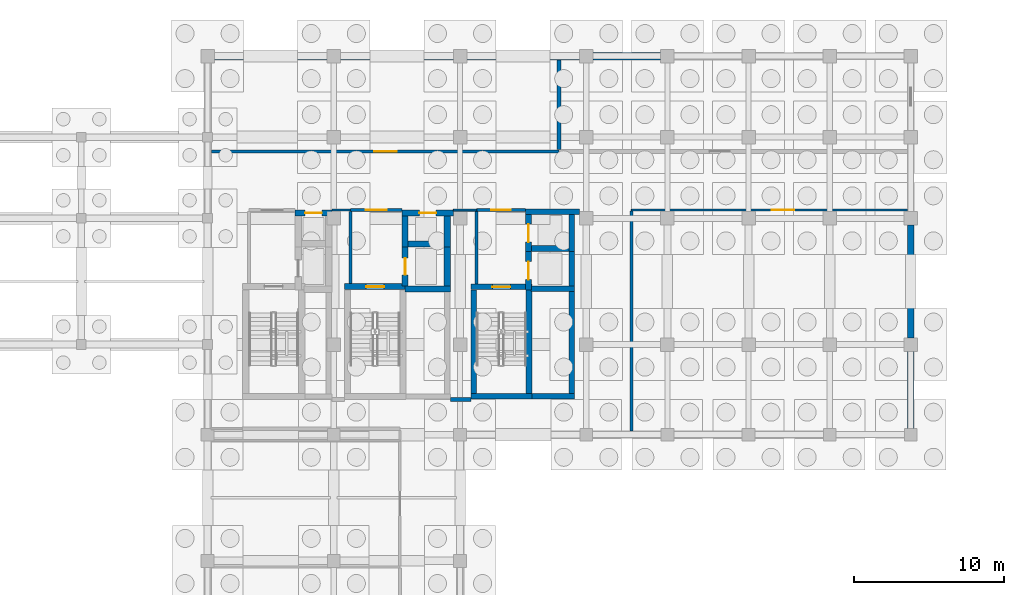
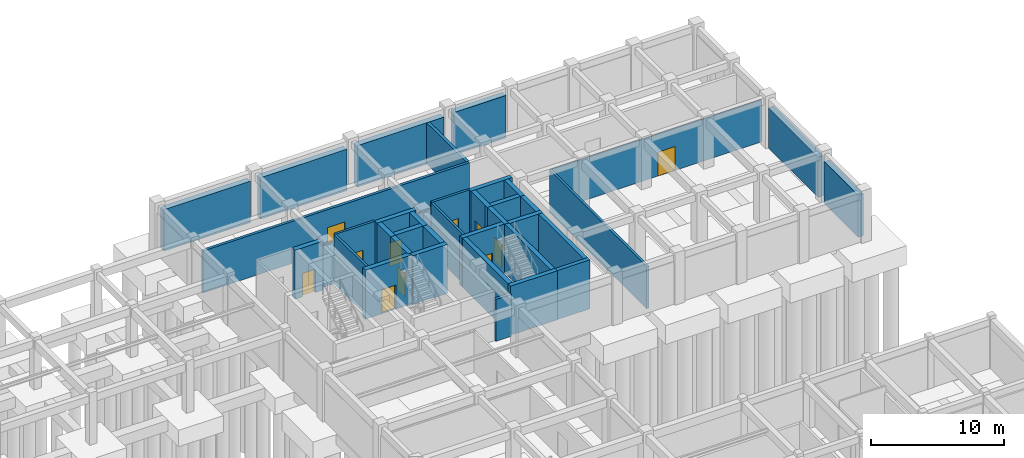
# One storey, part 41 of 49: 39 walls, 11 doors, 11 openings.
"""IFC4 building model written with IfcOpenShell, lengths in metres."""

from ifc_helpers import new_model, si_unit, direction, frame, frame_2d, origin, place, context, subcontext, project, spatial, rectangle, extrude, material, layer, layer_set, type_object, element, fill, save


model = new_model("IFC4")

# Units and contexts
model_context = context("Model", 3, precision=1e-05, world=origin(), true_north=direction((0.0, 1.0)))
body_context = subcontext(model_context, "Body", "Model", "MODEL_VIEW")
ifc_project = project(units=[si_unit("LENGTHUNIT", "METRE"), si_unit("AREAUNIT", "SQUARE_METRE"), si_unit("VOLUMEUNIT", "CUBIC_METRE"), si_unit("PLANEANGLEUNIT", "RADIAN"), si_unit("MASSUNIT", "GRAM", prefix="KILO")], contexts=[model_context])

# Site, building, storey
site_placement = place(None, origin())
site = spatial("IfcSite", under=ifc_project, at=site_placement, CompositionType="ELEMENT")
building_placement = place(site_placement, origin())
building = spatial("IfcBuilding", under=site, at=building_placement, Name="Krzemoval Escarpment Law Courts", CompositionType="ELEMENT")
storey_placement = place(building_placement, frame((0.0, 0.0, -4.800048828125)))
storey = spatial("IfcBuildingStorey", under=building, at=storey_placement, Name="B1", CompositionType="ELEMENT", Elevation=-4.800048828125)

# Wall, opening, door
ifc_material_1 = material(Name="Light Internal Subdivision Partition", Category="gypsum")
ifc_layer_1 = layer(ifc_material_1, 0.114990234375)
ifc_layer_set_1 = layer_set([ifc_layer_1], Name="Light Internal Subdivision Partition")
wall_type_1 = type_object("IfcWallType", Name="WL-PRT-115", PredefinedType="PARTITIONING", material=ifc_layer_set_1)
wall_1_placement = place(storey_placement, frame((154.199951171875, 108.550048828125, 0.0), z_axis=(0.0, 0.0, 1.0), x_axis=(1.0, 0.0, 0.0)))
wall_1 = element("IfcWall", 1, at=wall_1_placement, inside=storey, type_object=wall_type_1, Name="Interior Partition PW-B1-0047", PredefinedType="PARTITIONING", context=body_context, shape_type="SweptSolid", body=[
    extrude(rectangle(XDim=18.373046875, YDim=0.114990234375, at=frame_2d((9.1865234375, 0.0))), origin(), (0.0, 0.0, 1.0), 3.85009765625),
])
opening_1_placement = place(wall_1_placement, frame((9.3369140625, 0.0, 0.0)))
opening_1 = element("IfcOpeningElement", 2, at=opening_1_placement, cuts=wall_1, Name="Opening D-B1-0034", PredefinedType="OPENING", context=body_context, shape_type="SweptSolid", body=[
    extrude(rectangle(XDim=1.5, YDim=2.199951171875, at=frame_2d((0.75, 1.10009765625))), frame((0.0, 0.0725, 0.0), z_axis=(0.0, -1.0, 0.0), x_axis=(1.0, 0.0, 0.0)), (0.0, 0.0, 1.0), 0.14499),
])
ifc_material_2 = material(Name="Engineered Solid-Core Oak Acoustic Timber", Category="wood")
door_type_1 = type_object("IfcDoorType", Name="DR-INT-1500x2200", OperationType="SINGLE_SWING_LEFT", PredefinedType="DOOR", material=ifc_material_2)
door_1_placement = place(opening_1_placement, origin())
door_1 = element("IfcDoor", 3, at=door_1_placement, inside=storey, type_object=door_type_1, Name="Room Door D-B1-0034", OperationType="SINGLE_SWING_LEFT", OverallHeight=2.199951171875, OverallWidth=1.5, PredefinedType="DOOR", context=body_context, shape_type="SweptSolid", body=[
    extrude(rectangle(XDim=1.5, YDim=2.199951171875, at=frame_2d((0.75, 1.10009765625))), frame((0.0, 0.02490234375, 0.0), z_axis=(0.0, -1.0, 0.0), x_axis=(1.0, 0.0, 0.0)), (0.0, 0.0, 1.0), 0.050048828125),
])
fill(opening_1, door_1)

# Walls
ifc_material_3 = material(Name="Standard Metal-Stud Gypsum Partition", Category="gypsum")
ifc_layer_2 = layer(ifc_material_3, 0.125)
ifc_layer_set_2 = layer_set([ifc_layer_2], Name="Standard Metal-Stud Gypsum Partition")
wall_type_2 = type_object("IfcWallType", Name="WL-PRT-125", PredefinedType="PARTITIONING", material=ifc_layer_set_2)
wall_2_placement = place(storey_placement, frame((142.35498046875, 108.550048828125, 0.0), z_axis=(0.0, 0.0, 1.0), x_axis=(1.0, 0.0, 0.0)))
element("IfcWall", 4, at=wall_2_placement, inside=storey, type_object=wall_type_2, Name="Interior Partition PW-B1-0046", PredefinedType="PARTITIONING", context=body_context, shape_type="SweptSolid", body=[
    extrude(rectangle(XDim=1.544921875, YDim=0.125, at=frame_2d((0.7724609375, 0.0))), origin(), (0.0, 0.0, 1.0), 3.85009765625),
])
ifc_material_4 = material(Name="Sanitary Moisture-Resistant Partition", Category="gypsum")
ifc_layer_3 = layer(ifc_material_4, 0.139892578125)
ifc_layer_set_3 = layer_set([ifc_layer_3], Name="Sanitary Moisture-Resistant Partition")
wall_type_3 = type_object("IfcWallType", Name="WL-PRT-140", PredefinedType="PARTITIONING", material=ifc_layer_set_3)
wall_3_placement = place(storey_placement, frame((134.27001953125, 108.550048828125, 0.0), z_axis=(0.0, 0.0, 1.0), x_axis=(1.0, 0.0, 0.0)))
element("IfcWall", 5, at=wall_3_placement, inside=storey, type_object=wall_type_3, Name="Interior Partition PW-B1-0045", PredefinedType="PARTITIONING", context=body_context, shape_type="SweptSolid", body=[
    extrude(rectangle(XDim=1.22998046875, YDim=0.139892578125, at=frame_2d((0.614990234375, 0.0))), origin(), (0.0, 0.0, 1.0), 3.85009765625),
])

# Wall, opening, door
ifc_material_5 = material(Name="Fire-Rated Corridor Partition Wall", Category="gypsum")
ifc_layer_4 = layer(ifc_material_5, 0.199951171875)
ifc_layer_set_4 = layer_set([ifc_layer_4], Name="Fire-Rated Corridor Partition Wall")
wall_type_4 = type_object("IfcWallType", Name="WL-PRT-200", PredefinedType="PARTITIONING", material=ifc_layer_set_4)
wall_4_placement = place(storey_placement, frame((135.5, 108.550048828125, 0.0), z_axis=(0.0, 0.0, 1.0), x_axis=(1.0, 0.0, 0.0)))
wall_4 = element("IfcWall", 6, at=wall_4_placement, inside=storey, type_object=wall_type_4, Name="Interior Partition PW-B1-0043", PredefinedType="PARTITIONING", context=body_context, shape_type="SweptSolid", body=[
    extrude(rectangle(XDim=3.449951171875, YDim=0.199951171875, at=frame_2d((1.72509765625, 0.0))), origin(), (0.0, 0.0, 1.0), 4.5),
])
opening_2_placement = place(wall_4_placement, frame((1.02490234375, 0.0, 0.0)))
opening_2 = element("IfcOpeningElement", 7, at=opening_2_placement, cuts=wall_4, Name="Opening D-B1-0014", PredefinedType="OPENING", context=body_context, shape_type="SweptSolid", body=[
    extrude(rectangle(XDim=1.39990234375, YDim=2.199951171875, at=frame_2d((0.699951171875, 1.10009765625))), frame((0.0, 0.11498, 0.0), z_axis=(0.0, -1.0, 0.0), x_axis=(1.0, 0.0, 0.0)), (0.0, 0.0, 1.0), 0.22995),
])
ifc_material_6 = material(Name="Galvanised Steel S355", Category="steel")
door_type_2 = type_object("IfcDoorType", Name="DR-FFL-1400x2200", OperationType="SINGLE_SWING_LEFT", PredefinedType="DOOR", material=ifc_material_6)
door_2_placement = place(opening_2_placement, origin())
door_2 = element("IfcDoor", 8, at=door_2_placement, inside=storey, type_object=door_type_2, Name="Room Door D-B1-0014", OperationType="SINGLE_SWING_LEFT", OverallHeight=2.199951171875, OverallWidth=1.39990234375, PredefinedType="DOOR", context=body_context, shape_type="SweptSolid", body=[
    extrude(rectangle(XDim=1.39990234375, YDim=2.199951171875, at=frame_2d((0.699951171875, 1.10009765625))), frame((0.0, 0.02490234375, 0.0), z_axis=(0.0, -1.0, 0.0), x_axis=(1.0, 0.0, 0.0)), (0.0, 0.0, 1.0), 0.050048828125),
])
fill(opening_2, door_2)

wall_5_placement = place(storey_placement, frame((143.89990234375, 108.550048828125, 0.0), z_axis=(0.0, 0.0, 1.0), x_axis=(1.0, 0.0, 0.0)))
wall_5 = element("IfcWall", 9, at=wall_5_placement, inside=storey, type_object=wall_type_4, Name="Interior Partition PW-B1-0044", PredefinedType="PARTITIONING", context=body_context, shape_type="SweptSolid", body=[
    extrude(rectangle(XDim=3.27001953125, YDim=0.199951171875, at=frame_2d((1.635009765625, 0.0))), origin(), (0.0, 0.0, 1.0), 4.5),
])
opening_3_placement = place(wall_5_placement, frame((0.985107421875, 0.0, 0.0)))
opening_3 = element("IfcOpeningElement", 10, at=opening_3_placement, cuts=wall_5, Name="Opening D-B1-0015", PredefinedType="OPENING", context=body_context, shape_type="SweptSolid", body=[
    extrude(rectangle(XDim=1.300048828125, YDim=2.199951171875, at=frame_2d((0.64990234375, 1.10009765625))), frame((0.0, 0.11498, 0.0), z_axis=(0.0, -1.0, 0.0), x_axis=(1.0, 0.0, 0.0)), (0.0, 0.0, 1.0), 0.22995),
])
ifc_material_7 = material(Name="Galvanised Steel S355", Category="steel")
door_type_3 = type_object("IfcDoorType", Name="DR-STR-1300x2200", OperationType="SINGLE_SWING_LEFT", PredefinedType="DOOR", material=ifc_material_7)
door_3_placement = place(opening_3_placement, origin())
door_3 = element("IfcDoor", 11, at=door_3_placement, inside=storey, type_object=door_type_3, Name="Room Door D-B1-0015", OperationType="SINGLE_SWING_RIGHT", OverallHeight=2.199951171875, OverallWidth=1.300048828125, PredefinedType="DOOR", context=body_context, shape_type="SweptSolid", body=[
    extrude(rectangle(XDim=1.300048828125, YDim=2.199951171875, at=frame_2d((0.64990234375, 1.10009765625))), frame((0.0, 0.02490234375, 0.0), z_axis=(0.0, -1.0, 0.0), x_axis=(1.0, 0.0, 0.0)), (0.0, 0.0, 1.0), 0.050048828125),
])
fill(opening_3, door_3)

# Walls
wall_6_placement = place(storey_placement, frame((135.5, 103.652099609375, 0.0), z_axis=(0.0, 0.0, 1.0), x_axis=(0.0, 1.0, 0.0)))
element("IfcWall", 12, at=wall_6_placement, inside=storey, type_object=wall_type_4, Name="Interior Partition PW-B1-0060", PredefinedType="PARTITIONING", context=body_context, shape_type="SweptSolid", body=[
    extrude(rectangle(XDim=4.7958984375, YDim=0.199951171875, at=frame_2d((2.39794921875, 0.0))), origin(), (0.0, 0.0, 1.0), 4.5),
])
wall_7_placement = place(storey_placement, frame((143.89990234375, 103.632080078125, 0.0), z_axis=(0.0, 0.0, 1.0), x_axis=(0.0, 1.0, 0.0)))
element("IfcWall", 13, at=wall_7_placement, inside=storey, type_object=wall_type_4, Name="Interior Partition PW-B1-0069", PredefinedType="PARTITIONING", context=body_context, shape_type="SweptSolid", body=[
    extrude(rectangle(XDim=4.81591796875, YDim=0.199951171875, at=frame_2d((2.407958984375, 0.0))), origin(), (0.0, 0.0, 1.0), 4.5),
])
wall_8_placement = place(storey_placement, frame((154.199951171875, 93.85205078125, 0.0), z_axis=(0.0, 0.0, 1.0), x_axis=(0.0, 1.0, 0.0)))
element("IfcWall", 14, at=wall_8_placement, inside=storey, type_object=wall_type_4, Name="Interior Partition PW-B1-0075", PredefinedType="PARTITIONING", context=body_context, shape_type="SweptSolid", body=[
    extrude(rectangle(XDim=14.637939453125, YDim=0.199951171875, at=frame_2d((7.31884765625, 0.0))), origin(), (0.0, 0.0, 1.0), 3.900146484375),
])

# Wall, opening, door
ifc_material_8 = material(Name="Acoustic Calcium-Silicate Block Wall", Category="masonry")
ifc_layer_5 = layer(ifc_material_8, 0.22998046875)
ifc_layer_set_5 = layer_set([ifc_layer_5], Name="Acoustic Calcium-Silicate Block Wall")
wall_type_5 = type_object("IfcWallType", Name="WL-PRT-230", PredefinedType="SOLIDWALL", material=ifc_layer_set_5)
wall_9_placement = place(storey_placement, frame((126.251953125, 112.449951171875, 0.0), z_axis=(0.0, 0.0, 1.0), x_axis=(1.0, 0.0, 0.0)))
wall_9 = element("IfcWall", 15, at=wall_9_placement, inside=storey, type_object=wall_type_5, Name="Interior Partition PW-B1-0048", PredefinedType="SOLIDWALL", context=body_context, shape_type="SweptSolid", body=[
    extrude(rectangle(XDim=23.14794921875, YDim=0.22998046875, at=frame_2d((11.573974609375, 0.0))), origin(), (0.0, 0.0, 1.0), 3.85009765625),
])
opening_4_placement = place(wall_9_placement, frame((10.823974609375, 0.0, 0.0)))
opening_4 = element("IfcOpeningElement", 16, at=opening_4_placement, cuts=wall_9, Name="Opening D-B1-0032", PredefinedType="OPENING", context=body_context, shape_type="SweptSolid", body=[
    extrude(rectangle(XDim=1.5, YDim=2.199951171875, at=frame_2d((0.75, 1.10009765625))), frame((0.0, 0.12999, 0.0), z_axis=(0.0, -1.0, 0.0), x_axis=(1.0, 0.0, 0.0)), (0.0, 0.0, 1.0), 0.25998),
])
door_4_placement = place(opening_4_placement, origin())
door_4 = element("IfcDoor", 17, at=door_4_placement, inside=storey, type_object=door_type_1, Name="Room Door D-B1-0032", OperationType="SINGLE_SWING_LEFT", OverallHeight=2.199951171875, OverallWidth=1.5, PredefinedType="DOOR", context=body_context, shape_type="SweptSolid", body=[
    extrude(rectangle(XDim=1.5, YDim=2.199951171875, at=frame_2d((0.75, 1.10009765625))), frame((0.0, 0.02490234375, 0.0), z_axis=(0.0, -1.0, 0.0), x_axis=(1.0, 0.0, 0.0)), (0.0, 0.0, 1.0), 0.050048828125),
])
fill(opening_4, door_4)

# Walls
ifc_material_9 = material(Name="Acoustic Double-Stud Gypsum and Mineral Wool Wall", Category="gypsum")
ifc_layer_6 = layer(ifc_material_9, 0.260009765625)
ifc_layer_set_6 = layer_set([ifc_layer_6], Name="Acoustic Double-Stud Gypsum and Mineral Wool Wall")
wall_type_6 = type_object("IfcWallType", Name="WL-PRT-260", PredefinedType="PARTITIONING", material=ifc_layer_set_6)
wall_10_placement = place(storey_placement, frame((142.14990234375, 95.949951171875, 0.0), z_axis=(0.0, 0.0, 1.0), x_axis=(1.0, 0.0, 0.0)))
element("IfcWall", 18, at=wall_10_placement, inside=storey, type_object=wall_type_6, Name="Interior Partition PW-B1-0041", PredefinedType="PARTITIONING", context=body_context, shape_type="SweptSolid", body=[
    extrude(rectangle(XDim=1.3701171875, YDim=0.260009765625, at=frame_2d((0.68505859375, 0.0))), origin(), (0.0, 0.0, 1.0), 3.85009765625),
])
wall_11_placement = place(storey_placement, frame((149.39990234375, 112.58203125, 0.0), z_axis=(0.0, 0.0, 1.0), x_axis=(0.0, 1.0, 0.0)))
element("IfcWall", 19, at=wall_11_placement, inside=storey, type_object=wall_type_6, Name="Interior Partition PW-B1-0070", PredefinedType="PARTITIONING", context=body_context, shape_type="SweptSolid", body=[
    extrude(rectangle(XDim=5.966064453125, YDim=0.260009765625, at=frame_2d((2.98291015625, 0.0))), origin(), (0.0, 0.0, 1.0), 3.800048828125),
])
ifc_material_10 = material(Name="Concrete C35/45", Category="concrete")
ifc_layer_7 = layer(ifc_material_10, 0.449951171875)
ifc_layer_set_7 = layer_set([ifc_layer_7], Name="Concrete C35/45")
wall_type_7 = type_object("IfcWallType", Name="WL-RET-450", PredefinedType="USERDEFINED", material=ifc_layer_set_7)
wall_12_placement = place(storey_placement, frame((172.800048828125, 107.550048828125, 0.0), z_axis=(0.0, 0.0, 1.0), x_axis=(0.0, -1.0, 0.0)))
element("IfcWall", 20, at=wall_12_placement, inside=storey, type_object=wall_type_7, Name="Exterior Wall EW-B1-0035", ObjectType="RETAININGWALL", PredefinedType="USERDEFINED", context=body_context, shape_type="SweptSolid", body=[
    extrude(rectangle(XDim=7.5, YDim=0.449951171875, at=frame_2d((3.75, 0.0))), origin(), (0.0, 0.0, 1.0), 3.699951171875),
])
wall_13_placement = place(storey_placement, frame((172.800048828125, 99.14990234375, 0.0), z_axis=(0.0, 0.0, 1.0), x_axis=(0.0, -1.0, 0.0)))
element("IfcWall", 21, at=wall_13_placement, inside=storey, type_object=wall_type_7, Name="Exterior Wall EW-B1-0036", ObjectType="RETAININGWALL", PredefinedType="USERDEFINED", context=body_context, shape_type="SweptSolid", body=[
    extrude(rectangle(XDim=5.125, YDim=0.449951171875, at=frame_2d((2.5625, 0.0))), origin(), (0.0, 0.0, 1.0), 3.85009765625),
])
ifc_material_11 = material(Name="Concrete C35/45", Category="concrete")
ifc_layer_8 = layer(ifc_material_11, 0.5)
ifc_layer_set_8 = layer_set([ifc_layer_8], Name="Concrete C35/45")
wall_type_8 = type_object("IfcWallType", Name="WL-RET-500", PredefinedType="USERDEFINED", material=ifc_layer_set_8)
for number, where, z_axis, x_axis, name in (
    (22, (126.449951171875, 118.800048828125, 0.0), (0.0, 0.0, 1.0), (1.0, 0.0, 0.0), "Exterior Wall EW-B1-0026"),
    (23, (134.85009765625, 118.800048828125, 0.0), (0.0, 0.0, 1.0), (1.0, 0.0, 0.0), "Exterior Wall EW-B1-0027"),
    (24, (143.25, 118.800048828125, 0.0), (0.0, 0.0, 1.0), (1.0, 0.0, 0.0), "Exterior Wall EW-B1-0028"),
):
    element("IfcWall", number, at=place(storey_placement, frame(where, z_axis=z_axis, x_axis=x_axis)), inside=storey, type_object=wall_type_8, Name=name, ObjectType="RETAININGWALL", PredefinedType="USERDEFINED", context=body_context, shape_type="SweptSolid", body=[
        extrude(rectangle(XDim=7.5, YDim=0.5, at=frame_2d((3.75, 0.0))), origin(), (0.0, 0.0, 1.0), 3.800048828125),
    ])
wall_14_placement = place(storey_placement, frame((151.64990234375, 118.800048828125, 0.0), z_axis=(0.0, 0.0, 1.0), x_axis=(1.0, 0.0, 0.0)))
element("IfcWall", 25, at=wall_14_placement, inside=storey, type_object=wall_type_8, Name="Exterior Wall EW-B1-0029", ObjectType="RETAININGWALL", PredefinedType="USERDEFINED", context=body_context, shape_type="SweptSolid", body=[
    extrude(rectangle(XDim=4.5, YDim=0.5, at=frame_2d((2.25, 0.0))), origin(), (0.0, 0.0, 1.0), 3.900146484375),
])
ifc_material_12 = material(Name="Concrete C40/50", Category="concrete")
ifc_layer_9 = layer(ifc_material_12, 0.35009765625)
ifc_layer_set_9 = layer_set([ifc_layer_9], Name="Concrete C40/50")
wall_type_9 = type_object("IfcWallType", Name="WL-SHW-350", PredefinedType="SHEAR", material=ifc_layer_set_9)
wall_15_placement = place(storey_placement, frame((147.580078125, 96.159912109375, 0.0), z_axis=(0.0, 0.0, 1.0), x_axis=(1.0, 0.0, 0.0)))
element("IfcWall", 26, at=wall_15_placement, inside=storey, type_object=wall_type_9, Name="Riser Shaft Wall SW-B1-0312", PredefinedType="SHEAR", context=body_context, shape_type="SweptSolid", body=[
    extrude(rectangle(XDim=2.849853515625, YDim=0.35009765625, at=frame_2d((1.4248046875, 0.0))), origin(), (0.0, 0.0, 1.0), 4.5),
])
wall_16_placement = place(storey_placement, frame((150.239990234375, 96.330078125, 0.0), z_axis=(0.0, 0.0, 1.0), x_axis=(0.0, 1.0, 0.0)))
element("IfcWall", 27, at=wall_16_placement, inside=storey, type_object=wall_type_9, Name="Riser Shaft Wall SW-B1-0313", PredefinedType="SHEAR", context=body_context, shape_type="SweptSolid", body=[
    extrude(rectangle(XDim=7.177001953125, YDim=0.35009765625, at=frame_2d((3.58837890625, 0.0))), origin(), (0.0, 0.0, 1.0), 4.5),
])

# Wall, opening, door
ifc_material_13 = material(Name="Concrete C40/50", Category="concrete")
ifc_layer_10 = layer(ifc_material_13, 0.3798828125)
ifc_layer_set_10 = layer_set([ifc_layer_10], Name="Concrete C40/50")
wall_type_10 = type_object("IfcWallType", Name="WL-SHW-380", PredefinedType="SHEAR", material=ifc_layer_set_10)
wall_17_placement = place(storey_placement, frame((143.52001953125, 103.43994140625, 0.0), z_axis=(0.0, 0.0, 1.0), x_axis=(1.0, 0.0, 0.0)))
wall_17 = element("IfcWall", 28, at=wall_17_placement, inside=storey, type_object=wall_type_10, Name="Core Stair Shear Wall SW-B1-0301", PredefinedType="SHEAR", context=body_context, shape_type="SweptSolid", body=[
    extrude(rectangle(XDim=4.06005859375, YDim=0.3798828125, at=frame_2d((2.030029296875, 0.0))), origin(), (0.0, 0.0, 1.0), 4.5),
])
opening_5_placement = place(wall_17_placement, frame((1.429931640625, 0.0, 0.0)))
opening_5 = element("IfcOpeningElement", 29, at=opening_5_placement, cuts=wall_17, Name="Opening SD-ST3-B1", PredefinedType="OPENING", context=body_context, shape_type="SweptSolid", body=[
    extrude(rectangle(XDim=1.199951171875, YDim=2.199951171875, at=frame_2d((0.60009765625, 1.10009765625))), frame((0.0, 0.20494, 0.0), z_axis=(0.0, -1.0, 0.0), x_axis=(1.0, 0.0, 0.0)), (0.0, 0.0, 1.0), 0.40988),
])
ifc_material_14 = material(Name="Galvanised Steel S355", Category="steel")
door_type_4 = type_object("IfcDoorType", Name="DR-STR-1200x2200", OperationType="SINGLE_SWING_LEFT", PredefinedType="DOOR", material=ifc_material_14)
door_5_placement = place(opening_5_placement, origin())
door_5 = element("IfcDoor", 30, at=door_5_placement, inside=storey, type_object=door_type_4, Name="Stair Exit Door SD-ST3-B1", OperationType="SINGLE_SWING_RIGHT", OverallHeight=2.199951171875, OverallWidth=1.199951171875, PredefinedType="DOOR", context=body_context, shape_type="SweptSolid", body=[
    extrude(rectangle(XDim=1.199951171875, YDim=2.199951171875, at=frame_2d((0.60009765625, 1.10009765625))), frame((0.0, 0.02490234375, 0.0), z_axis=(0.0, -1.0, 0.0), x_axis=(1.0, 0.0, 0.0)), (0.0, 0.0, 1.0), 0.050048828125),
])
fill(opening_5, door_5)

# Walls
wall_18_placement = place(storey_placement, frame((143.52001953125, 96.159912109375, 0.0), z_axis=(0.0, 0.0, 1.0), x_axis=(1.0, 0.0, 0.0)))
element("IfcWall", 31, at=wall_18_placement, inside=storey, type_object=wall_type_10, Name="Core Stair Shear Wall SW-B1-0302", PredefinedType="SHEAR", context=body_context, shape_type="SweptSolid", body=[
    extrude(rectangle(XDim=4.06005859375, YDim=0.3798828125, at=frame_2d((2.030029296875, 0.0))), origin(), (0.0, 0.0, 1.0), 4.5),
])
for number, where, z_axis, x_axis, name in (
    (32, (143.7099609375, 96.35205078125, 0.0), (0.0, 0.0, 1.0), (0.0, 1.0, 0.0), "Core Stair Shear Wall SW-B1-0303"),
    (33, (147.389892578125, 96.35205078125, 0.0), (0.0, 0.0, 1.0), (0.0, 1.0, 0.0), "Core Stair Shear Wall SW-B1-0304"),
):
    element("IfcWall", number, at=place(storey_placement, frame(where, z_axis=z_axis, x_axis=x_axis)), inside=storey, type_object=wall_type_10, Name=name, PredefinedType="SHEAR", context=body_context, shape_type="SweptSolid", body=[
        extrude(rectangle(XDim=6.89599609375, YDim=0.3798828125, at=frame_2d((3.447998046875, 0.0))), origin(), (0.0, 0.0, 1.0), 4.5),
    ])
wall_19_placement = place(storey_placement, frame((147.512939453125, 103.31005859375, 0.0), z_axis=(0.0, 0.0, 1.0), x_axis=(1.0, 0.0, 0.0)))
element("IfcWall", 34, at=wall_19_placement, inside=storey, type_object=wall_type_10, Name="Lift Shaft Shear Wall SW-B1-0305", PredefinedType="SHEAR", context=body_context, shape_type="SweptSolid", body=[
    extrude(rectangle(XDim=2.9169921875, YDim=0.3798828125, at=frame_2d((1.45849609375, 0.0))), origin(), (0.0, 0.0, 1.0), 4.5),
])
wall_20_placement = place(storey_placement, frame((147.169921875, 105.989990234375, 0.0), z_axis=(0.0, 0.0, 1.0), x_axis=(1.0, 0.0, 0.0)))
element("IfcWall", 35, at=wall_20_placement, inside=storey, type_object=wall_type_10, Name="Lift Shaft Shear Wall SW-B1-0306", PredefinedType="SHEAR", context=body_context, shape_type="SweptSolid", body=[
    extrude(rectangle(XDim=3.260009765625, YDim=0.3798828125, at=frame_2d((1.6298828125, 0.0))), origin(), (0.0, 0.0, 1.0), 4.5),
])

# Wall, opening, door
wall_21_placement = place(storey_placement, frame((147.360107421875, 103.242919921875, 0.0), z_axis=(0.0, 0.0, 1.0), x_axis=(0.0, 1.0, 0.0)))
wall_21 = element("IfcWall", 36, at=wall_21_placement, inside=storey, type_object=wall_type_10, Name="Lift Shaft Shear Wall SW-B1-0307", PredefinedType="SHEAR", context=body_context, shape_type="SweptSolid", body=[
    extrude(rectangle(XDim=2.55517578125, YDim=0.3798828125, at=frame_2d((1.277587890625, 0.0))), origin(), (0.0, 0.0, 1.0), 4.5),
])
opening_6_placement = place(wall_21_placement, frame((0.677978515625, 0.0, 0.0)))
opening_6 = element("IfcOpeningElement", 37, at=opening_6_placement, cuts=wall_21, Name="Opening LD-PL1-B1", PredefinedType="OPENING", context=body_context, shape_type="SweptSolid", body=[
    extrude(rectangle(XDim=1.199951171875, YDim=2.14990234375, at=frame_2d((0.60009765625, 1.074951171875))), frame((0.0, 0.20494, 0.0), z_axis=(0.0, -1.0, 0.0), x_axis=(1.0, 0.0, 0.0)), (0.0, 0.0, 1.0), 0.40988),
])
ifc_material_15 = material(Name="Engineered Solid-Core Oak Acoustic Timber", Category="wood")
door_type_5 = type_object("IfcDoorType", Name="DR-LFT-1200x2150", OperationType="SINGLE_SWING_LEFT", PredefinedType="DOOR", material=ifc_material_15)
door_6_placement = place(opening_6_placement, origin())
door_6 = element("IfcDoor", 38, at=door_6_placement, inside=storey, type_object=door_type_5, Name="Lift Landing Door LD-PL1-B1", OperationType="DOUBLE_DOOR_SLIDING", OverallHeight=2.14990234375, OverallWidth=1.199951171875, PredefinedType="DOOR", context=body_context, shape_type="SweptSolid", body=[
    extrude(rectangle(XDim=1.199951171875, YDim=2.14990234375, at=frame_2d((0.60009765625, 1.074951171875))), frame((0.0, 0.02490234375, 0.0), z_axis=(0.0, -1.0, 0.0), x_axis=(1.0, 0.0, 0.0)), (0.0, 0.0, 1.0), 0.050048828125),
])
fill(opening_6, door_6)

# Walls
wall_22_placement = place(storey_placement, frame((150.239990234375, 103.501953125, 0.0), z_axis=(0.0, 0.0, 1.0), x_axis=(0.0, 1.0, 0.0)))
element("IfcWall", 39, at=wall_22_placement, inside=storey, type_object=wall_type_10, Name="Lift Shaft Shear Wall SW-B1-0308", PredefinedType="SHEAR", context=body_context, shape_type="SweptSolid", body=[
    extrude(rectangle(XDim=2.296142578125, YDim=0.3798828125, at=frame_2d((1.14794921875, 0.0))), origin(), (0.0, 0.0, 1.0), 4.5),
])
wall_23_placement = place(storey_placement, frame((147.169921875, 108.43994140625, 0.0), z_axis=(0.0, 0.0, 1.0), x_axis=(1.0, 0.0, 0.0)))
element("IfcWall", 40, at=wall_23_placement, inside=storey, type_object=wall_type_10, Name="Lift Shaft Shear Wall SW-B1-0309", PredefinedType="SHEAR", context=body_context, shape_type="SweptSolid", body=[
    extrude(rectangle(XDim=3.5849609375, YDim=0.3798828125, at=frame_2d((1.79248046875, 0.0))), origin(), (0.0, 0.0, 1.0), 4.5),
])

# Wall, opening, door
wall_24_placement = place(storey_placement, frame((147.360107421875, 105.79296875, 0.0), z_axis=(0.0, 0.0, 1.0), x_axis=(0.0, 1.0, 0.0)))
wall_24 = element("IfcWall", 41, at=wall_24_placement, inside=storey, type_object=wall_type_10, Name="Lift Shaft Shear Wall SW-B1-0310", PredefinedType="SHEAR", context=body_context, shape_type="SweptSolid", body=[
    extrude(rectangle(XDim=2.455078125, YDim=0.3798828125, at=frame_2d((1.2275390625, 0.0))), origin(), (0.0, 0.0, 1.0), 4.5),
])
opening_7_placement = place(wall_24_placement, frame((0.626953125, 0.0, 0.0)))
opening_7 = element("IfcOpeningElement", 42, at=opening_7_placement, cuts=wall_24, Name="Opening LD-PL2-B1", PredefinedType="OPENING", context=body_context, shape_type="SweptSolid", body=[
    extrude(rectangle(XDim=1.199951171875, YDim=2.14990234375, at=frame_2d((0.60009765625, 1.074951171875))), frame((0.0, 0.20494, 0.0), z_axis=(0.0, -1.0, 0.0), x_axis=(1.0, 0.0, 0.0)), (0.0, 0.0, 1.0), 0.40988),
])
door_7_placement = place(opening_7_placement, origin())
door_7 = element("IfcDoor", 43, at=door_7_placement, inside=storey, type_object=door_type_5, Name="Lift Landing Door LD-PL2-B1", OperationType="DOUBLE_DOOR_SLIDING", OverallHeight=2.14990234375, OverallWidth=1.199951171875, PredefinedType="DOOR", context=body_context, shape_type="SweptSolid", body=[
    extrude(rectangle(XDim=1.199951171875, YDim=2.14990234375, at=frame_2d((0.60009765625, 1.074951171875))), frame((0.0, 0.02490234375, 0.0), z_axis=(0.0, -1.0, 0.0), x_axis=(1.0, 0.0, 0.0)), (0.0, 0.0, 1.0), 0.050048828125),
])
fill(opening_7, door_7)

# Wall
wall_25_placement = place(storey_placement, frame((150.239990234375, 105.79296875, 0.0), z_axis=(0.0, 0.0, 1.0), x_axis=(0.0, 1.0, 0.0)))
element("IfcWall", 44, at=wall_25_placement, inside=storey, type_object=wall_type_10, Name="Lift Shaft Shear Wall SW-B1-0311", PredefinedType="SHEAR", context=body_context, shape_type="SweptSolid", body=[
    extrude(rectangle(XDim=2.455078125, YDim=0.3798828125, at=frame_2d((1.2275390625, 0.0))), origin(), (0.0, 0.0, 1.0), 4.5),
])

# Wall, opening, door
ifc_material_16 = material(Name="Concrete C40/50", Category="concrete")
ifc_layer_11 = layer(ifc_material_16, 0.39990234375)
ifc_layer_set_11 = layer_set([ifc_layer_11], Name="Concrete C40/50")
wall_type_11 = type_object("IfcWallType", Name="WL-SHW-400", PredefinedType="SHEAR", material=ifc_layer_set_11)
wall_26_placement = place(storey_placement, frame((135.10009765625, 103.449951171875, 0.0), z_axis=(0.0, 0.0, 1.0), x_axis=(1.0, 0.0, 0.0)))
wall_26 = element("IfcWall", 45, at=wall_26_placement, inside=storey, type_object=wall_type_11, Name="Core Stair Shear Wall SW-B1-0151", PredefinedType="SHEAR", context=body_context, shape_type="SweptSolid", body=[
    extrude(rectangle(XDim=4.099853515625, YDim=0.39990234375, at=frame_2d((2.0498046875, 0.0))), origin(), (0.0, 0.0, 1.0), 4.5),
])
opening_8_placement = place(wall_26_placement, frame((1.449951171875, 0.0, 0.0)))
opening_8 = element("IfcOpeningElement", 46, at=opening_8_placement, cuts=wall_26, Name="Opening SD-ST2-B1", PredefinedType="OPENING", context=body_context, shape_type="SweptSolid", body=[
    extrude(rectangle(XDim=1.199951171875, YDim=2.199951171875, at=frame_2d((0.60009765625, 1.10009765625))), frame((0.0, 0.21495, 0.0), z_axis=(0.0, -1.0, 0.0), x_axis=(1.0, 0.0, 0.0)), (0.0, 0.0, 1.0), 0.4299),
])
door_8_placement = place(opening_8_placement, origin())
door_8 = element("IfcDoor", 47, at=door_8_placement, inside=storey, type_object=door_type_4, Name="Stair Exit Door SD-ST2-B1", OperationType="SINGLE_SWING_LEFT", OverallHeight=2.199951171875, OverallWidth=1.199951171875, PredefinedType="DOOR", context=body_context, shape_type="SweptSolid", body=[
    extrude(rectangle(XDim=1.199951171875, YDim=2.199951171875, at=frame_2d((0.60009765625, 1.10009765625))), frame((0.0, 0.02490234375, 0.0), z_axis=(0.0, -1.0, 0.0), x_axis=(1.0, 0.0, 0.0)), (0.0, 0.0, 1.0), 0.050048828125),
])
fill(opening_8, door_8)

# Walls
wall_27_placement = place(storey_placement, frame((139.14306640625, 103.300048828125, 0.0), z_axis=(0.0, 0.0, 1.0), x_axis=(1.0, 0.0, 0.0)))
element("IfcWall", 48, at=wall_27_placement, inside=storey, type_object=wall_type_11, Name="Lift Shaft Shear Wall SW-B1-0155", PredefinedType="SHEAR", context=body_context, shape_type="SweptSolid", body=[
    extrude(rectangle(XDim=3.0068359375, YDim=0.39990234375, at=frame_2d((1.50341796875, 0.0))), origin(), (0.0, 0.0, 1.0), 4.5),
])
wall_28_placement = place(storey_placement, frame((138.949951171875, 106.300048828125, 0.0), z_axis=(0.0, 0.0, 1.0), x_axis=(1.0, 0.0, 0.0)))
element("IfcWall", 49, at=wall_28_placement, inside=storey, type_object=wall_type_11, Name="Lift Shaft Shear Wall SW-B1-0156", PredefinedType="SHEAR", context=body_context, shape_type="SweptSolid", body=[
    extrude(rectangle(XDim=3.199951171875, YDim=0.39990234375, at=frame_2d((1.60009765625, 0.0))), origin(), (0.0, 0.0, 1.0), 4.5),
])

# Wall, opening, door
wall_29_placement = place(storey_placement, frame((139.14990234375, 103.4951171875, 0.0), z_axis=(0.0, 0.0, 1.0), x_axis=(0.0, 1.0, 0.0)))
wall_29 = element("IfcWall", 50, at=wall_29_placement, inside=storey, type_object=wall_type_11, Name="Lift Shaft Shear Wall SW-B1-0157", PredefinedType="SHEAR", context=body_context, shape_type="SweptSolid", body=[
    extrude(rectangle(XDim=2.602783203125, YDim=0.39990234375, at=frame_2d((1.30126953125, 0.0))), origin(), (0.0, 0.0, 1.0), 4.5),
])
opening_9_placement = place(wall_29_placement, frame((0.7509765625, 0.0, 0.0)))
opening_9 = element("IfcOpeningElement", 51, at=opening_9_placement, cuts=wall_29, Name="Opening LD-FL2-B1", PredefinedType="OPENING", context=body_context, shape_type="SweptSolid", body=[
    extrude(rectangle(XDim=1.10009765625, YDim=2.14990234375, at=frame_2d((0.550048828125, 1.074951171875))), frame((0.0, 0.21495, 0.0), z_axis=(0.0, -1.0, 0.0), x_axis=(1.0, 0.0, 0.0)), (0.0, 0.0, 1.0), 0.4299),
])
ifc_material_17 = material(Name="Stainless Steel Grade 304", Category="steel")
door_type_6 = type_object("IfcDoorType", Name="DR-LFT-1100x2150", OperationType="SINGLE_SWING_LEFT", PredefinedType="DOOR", material=ifc_material_17)
door_9_placement = place(opening_9_placement, origin())
door_9 = element("IfcDoor", 52, at=door_9_placement, inside=storey, type_object=door_type_6, Name="Lift Landing Door LD-FL2-B1", OperationType="DOUBLE_DOOR_SLIDING", OverallHeight=2.14990234375, OverallWidth=1.10009765625, PredefinedType="DOOR", context=body_context, shape_type="SweptSolid", body=[
    extrude(rectangle(XDim=1.10009765625, YDim=2.14990234375, at=frame_2d((0.550048828125, 1.074951171875))), frame((0.0, 0.02490234375, 0.0), z_axis=(0.0, -1.0, 0.0), x_axis=(1.0, 0.0, 0.0)), (0.0, 0.0, 1.0), 0.050048828125),
])
fill(opening_9, door_9)

# Wall
wall_30_placement = place(storey_placement, frame((141.949951171875, 103.501953125, 0.0), z_axis=(0.0, 0.0, 1.0), x_axis=(0.0, 1.0, 0.0)))
element("IfcWall", 53, at=wall_30_placement, inside=storey, type_object=wall_type_11, Name="Lift Shaft Shear Wall SW-B1-0158", PredefinedType="SHEAR", context=body_context, shape_type="SweptSolid", body=[
    extrude(rectangle(XDim=2.595947265625, YDim=0.39990234375, at=frame_2d((1.2978515625, 0.0))), origin(), (0.0, 0.0, 1.0), 4.5),
])

# Wall, opening, door
wall_31_placement = place(storey_placement, frame((138.949951171875, 108.35009765625, 0.0), z_axis=(0.0, 0.0, 1.0), x_axis=(1.0, 0.0, 0.0)))
wall_31 = element("IfcWall", 54, at=wall_31_placement, inside=storey, type_object=wall_type_11, Name="Lift Shaft Shear Wall SW-B1-0159", PredefinedType="SHEAR", context=body_context, shape_type="SweptSolid", body=[
    extrude(rectangle(XDim=3.405029296875, YDim=0.39990234375, at=frame_2d((1.70263671875, 0.0))), origin(), (0.0, 0.0, 1.0), 4.5),
])
opening_10_placement = place(wall_31_placement, frame((1.153076171875, 0.0, 0.0)))
opening_10 = element("IfcOpeningElement", 55, at=opening_10_placement, cuts=wall_31, Name="Opening LD-JL2-B1", PredefinedType="OPENING", context=body_context, shape_type="SweptSolid", body=[
    extrude(rectangle(XDim=1.10009765625, YDim=2.14990234375, at=frame_2d((0.550048828125, 1.074951171875))), frame((0.0, 0.21495, 0.0), z_axis=(0.0, -1.0, 0.0), x_axis=(1.0, 0.0, 0.0)), (0.0, 0.0, 1.0), 0.4299),
])
door_10_placement = place(opening_10_placement, origin())
door_10 = element("IfcDoor", 56, at=door_10_placement, inside=storey, type_object=door_type_6, Name="Lift Landing Door LD-JL2-B1", OperationType="DOUBLE_DOOR_SLIDING", OverallHeight=2.14990234375, OverallWidth=1.10009765625, PredefinedType="DOOR", context=body_context, shape_type="SweptSolid", body=[
    extrude(rectangle(XDim=1.10009765625, YDim=2.14990234375, at=frame_2d((0.550048828125, 1.074951171875))), frame((0.0, 0.02490234375, 0.0), z_axis=(0.0, -1.0, 0.0), x_axis=(1.0, 0.0, 0.0)), (0.0, 0.0, 1.0), 0.050048828125),
])
fill(opening_10, door_10)

# Walls
for number, where, z_axis, x_axis, name in (
    (57, (139.14990234375, 106.093017578125, 0.0), (0.0, 0.0, 1.0), (0.0, 1.0, 0.0), "Lift Shaft Shear Wall SW-B1-0160"),
    (58, (141.949951171875, 106.093017578125, 0.0), (0.0, 0.0, 1.0), (0.0, 1.0, 0.0), "Lift Shaft Shear Wall SW-B1-0161"),
):
    element("IfcWall", number, at=place(storey_placement, frame(where, z_axis=z_axis, x_axis=x_axis)), inside=storey, type_object=wall_type_11, Name=name, PredefinedType="SHEAR", context=body_context, shape_type="SweptSolid", body=[
        extrude(rectangle(XDim=2.054931640625, YDim=0.39990234375, at=frame_2d((1.02734375, 0.0))), origin(), (0.0, 0.0, 1.0), 4.5),
    ])

# Wall, opening, door
ifc_material_18 = material(Name="Concrete C40/50", Category="concrete")
ifc_layer_12 = layer(ifc_material_18, 0.419921875)
ifc_layer_set_12 = layer_set([ifc_layer_12], Name="Concrete C40/50")
wall_type_12 = type_object("IfcWallType", Name="WL-SHW-420", PredefinedType="SHEAR", material=ifc_layer_set_12)
wall_32_placement = place(storey_placement, frame((131.830078125, 108.360107421875, 0.0), z_axis=(0.0, 0.0, 1.0), x_axis=(1.0, 0.0, 0.0)))
wall_32 = element("IfcWall", 59, at=wall_32_placement, inside=storey, type_object=wall_type_12, Name="Lift Shaft Shear Wall SW-B1-0009", PredefinedType="SHEAR", context=body_context, shape_type="SweptSolid", body=[
    extrude(rectangle(XDim=2.43994140625, YDim=0.419921875, at=frame_2d((1.219970703125, 0.0))), origin(), (0.0, 0.0, 1.0), 4.5),
])
opening_11_placement = place(wall_32_placement, frame((0.669921875, 0.0, 0.0)))
opening_11 = element("IfcOpeningElement", 60, at=opening_11_placement, cuts=wall_32, Name="Opening LD-JL1-B1", PredefinedType="OPENING", context=body_context, shape_type="SweptSolid", body=[
    extrude(rectangle(XDim=1.10009765625, YDim=2.14990234375, at=frame_2d((0.550048828125, 1.074951171875))), frame((0.0, 0.22496, 0.0), z_axis=(0.0, -1.0, 0.0), x_axis=(1.0, 0.0, 0.0)), (0.0, 0.0, 1.0), 0.44992),
])
door_11_placement = place(opening_11_placement, origin())
door_11 = element("IfcDoor", 61, at=door_11_placement, inside=storey, type_object=door_type_6, Name="Lift Landing Door LD-JL1-B1", OperationType="DOUBLE_DOOR_SLIDING", OverallHeight=2.14990234375, OverallWidth=1.10009765625, PredefinedType="DOOR", context=body_context, shape_type="SweptSolid", body=[
    extrude(rectangle(XDim=1.10009765625, YDim=2.14990234375, at=frame_2d((0.550048828125, 1.074951171875))), frame((0.0, 0.02490234375, 0.0), z_axis=(0.0, -1.0, 0.0), x_axis=(1.0, 0.0, 0.0)), (0.0, 0.0, 1.0), 0.050048828125),
])
fill(opening_11, door_11)

save(model, "model.ifc")
